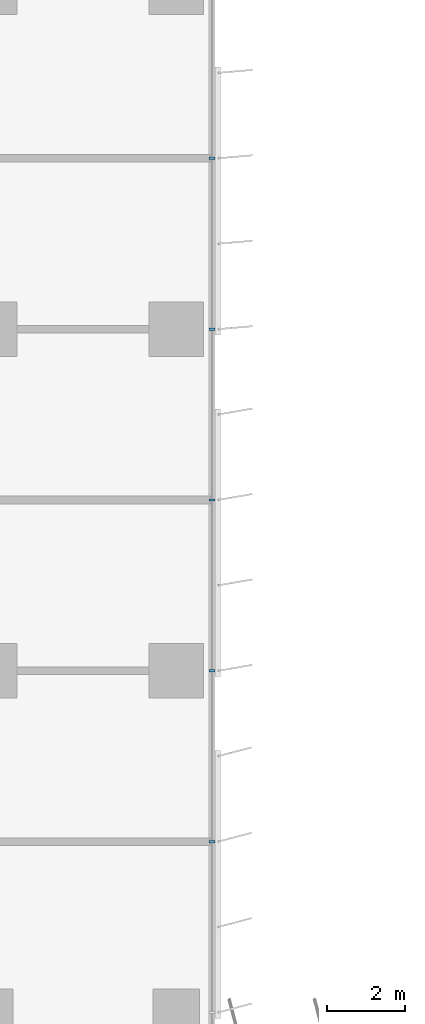
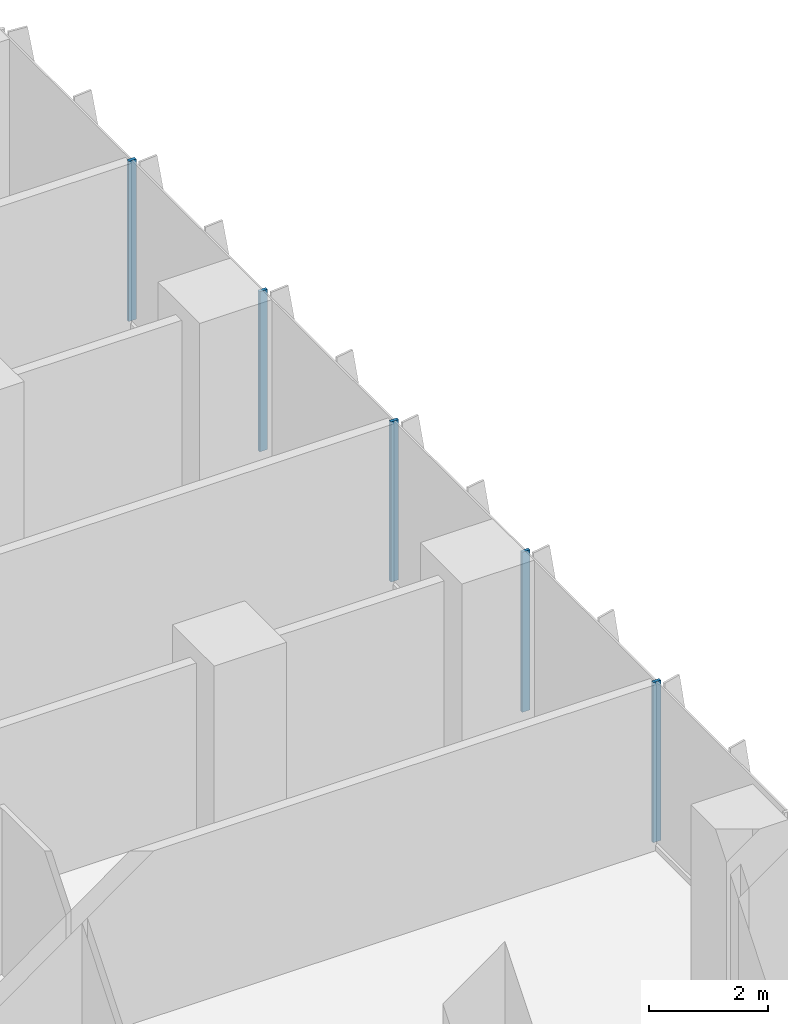
# One storey, part 5 of 24: 5 members, 1 element without a shape of its own.
"""IFC4 building model written with IfcOpenShell, lengths in metres."""

from ifc_helpers import new_model, si_unit, direction, frame, origin, origin_2d, place, context, subcontext, project, spatial, rectangle, extrude, source, transform, mapped, material, material_profile, profile_set, type_object, element, aggregate, save


model = new_model("IFC4")

# Units and contexts
model_context = context("Model", 3, precision=1e-05, world=origin(), true_north=direction((0.0, 1.0)))
body_context = subcontext(model_context, "Body", "Model", "MODEL_VIEW")
ifc_project = project(units=[si_unit("LENGTHUNIT", "METRE"), si_unit("AREAUNIT", "SQUARE_METRE"), si_unit("VOLUMEUNIT", "CUBIC_METRE"), si_unit("PLANEANGLEUNIT", "RADIAN"), si_unit("MASSUNIT", "GRAM", prefix="KILO")], contexts=[model_context])

# Site, building, storey
site_placement = place(None, origin())
site = spatial("IfcSite", under=ifc_project, at=site_placement, CompositionType="ELEMENT")
building_placement = place(site_placement, origin())
building = spatial("IfcBuilding", under=site, at=building_placement, Name="Kemantara Hotel Tower", CompositionType="ELEMENT")
storey_placement = place(building_placement, frame((0.0, 0.0, 37.699951171875)))
storey = spatial("IfcBuildingStorey", under=building, at=storey_placement, Name="L07", CompositionType="ELEMENT", Elevation=37.699951171875)

# Curtain wall, members
ifc_material_1 = material(Name="Low-E tinted double insulated glass 36 mm", Category="glass")
curtain_wall_type = type_object("IfcCurtainWallType", Name="TOWER CURTAIN WALL, FRONT FACES", PredefinedType="USERDEFINED", material=ifc_material_1)
curtain_wall_placement = place(storey_placement, origin())
curtain_wall = element("IfcCurtainWall", 1, at=curtain_wall_placement, inside=storey, type_object=curtain_wall_type, Name="CW4 L07 T1-R08-1", ObjectType="TOWER CURTAIN WALL, FRONT FACES", PredefinedType="USERDEFINED")
ifc_material_2 = material(Name="Aluminium 6063-T6 bronze anodised", Category="aluminium")
ifc_material_profile = material_profile(ifc_material_2, rectangle(XDim=0.14990234375, YDim=0.06005859375, at=origin_2d()), Name="TOWER CURTAIN WALL, FRONT FACES MULLION")
ifc_profile_set = profile_set([ifc_material_profile], Name="Aluminium 6063-T6 bronze anodised")
member_type = type_object("IfcMemberType", Name="TOWER CURTAIN WALL, FRONT FACES MULLION", PredefinedType="MULLION", material=ifc_profile_set)
shared_shape = source(origin(), body_context, "Body", "SweptSolid", [
    extrude(rectangle(XDim=0.14990234375, YDim=0.06005859375, at=origin_2d()), origin(), (0.0, 0.0, 1.0), 3.280029296875),
])
member_1_placement = place(storey_placement, frame((26.72509765625, 31.800048828125, 0.1201171875), z_axis=(0.0, 0.0, 1.0), x_axis=(-1.0, 0.0, 0.0)))
member_1 = element("IfcMember", 2, at=member_1_placement, type_object=member_type, Name="CW4 mullion T1-R08-1.3", PredefinedType="MULLION", context=body_context, shape_type="MappedRepresentation", body=[
    mapped(shared_shape, transform((0.0, 0.0, 0.0))),
])
member_2_placement = place(storey_placement, frame((26.72509765625, 36.199951171875, 0.1201171875), z_axis=(0.0, 0.0, 1.0), x_axis=(-1.0, 0.0, 0.0)))
member_2 = element("IfcMember", 3, at=member_2_placement, type_object=member_type, Name="CW4 mullion T1-R08-1.4", PredefinedType="MULLION", context=body_context, shape_type="MappedRepresentation", body=[
    mapped(shared_shape, transform((0.0, 0.0, 0.0))),
])
member_3_placement = place(storey_placement, frame((26.72509765625, 40.60009765625, 0.1201171875), z_axis=(0.0, 0.0, 1.0), x_axis=(-1.0, 0.0, 0.0)))
member_3 = element("IfcMember", 4, at=member_3_placement, type_object=member_type, Name="CW4 mullion T1-R08-1.5", PredefinedType="MULLION", context=body_context, shape_type="MappedRepresentation", body=[
    mapped(shared_shape, transform((0.0, 0.0, 0.0))),
])
member_4_placement = place(storey_placement, frame((26.72509765625, 45.0, 0.1201171875), z_axis=(0.0, 0.0, 1.0), x_axis=(-1.0, 0.0, 0.0)))
member_4 = element("IfcMember", 5, at=member_4_placement, type_object=member_type, Name="CW4 mullion T1-R08-1.6", PredefinedType="MULLION", context=body_context, shape_type="MappedRepresentation", body=[
    mapped(shared_shape, transform((0.0, 0.0, 0.0))),
])
member_5_placement = place(storey_placement, frame((26.72509765625, 49.39990234375, 0.1201171875), z_axis=(0.0, 0.0, 1.0), x_axis=(-1.0, 0.0, 0.0)))
member_5 = element("IfcMember", 6, at=member_5_placement, type_object=member_type, Name="CW4 mullion T1-R08-1.7", PredefinedType="MULLION", context=body_context, shape_type="MappedRepresentation", body=[
    mapped(shared_shape, transform((0.0, 0.0, 0.0))),
])
aggregate(curtain_wall, [member_1, member_2, member_3, member_4, member_5])

save(model, "model.ifc")
